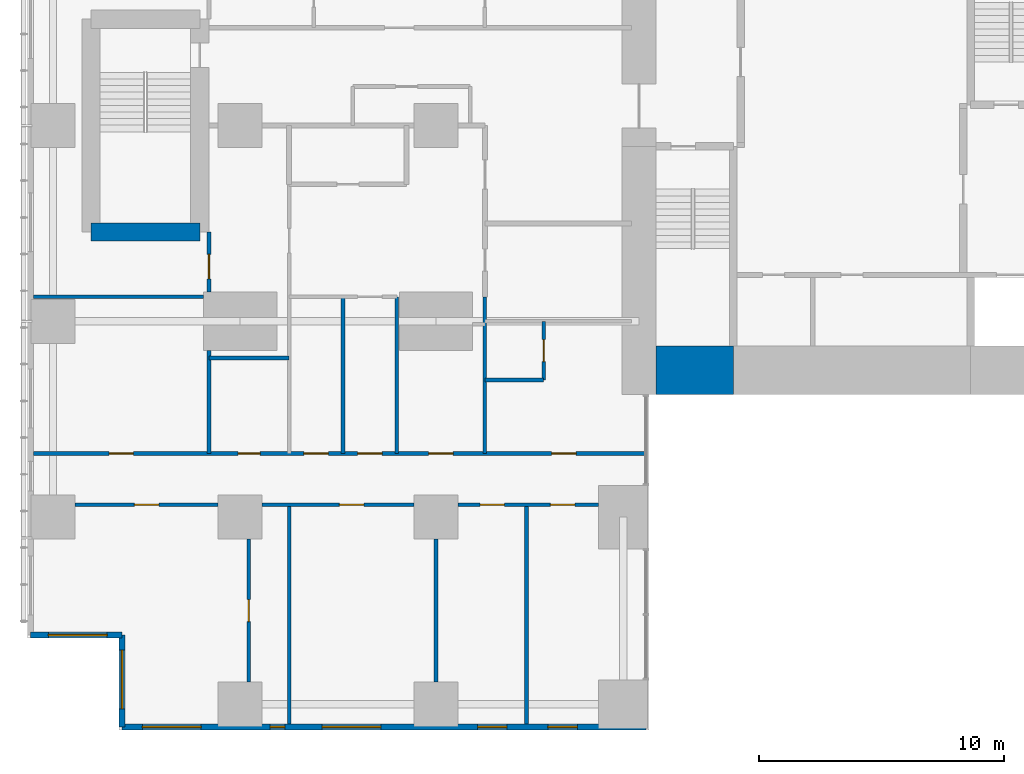
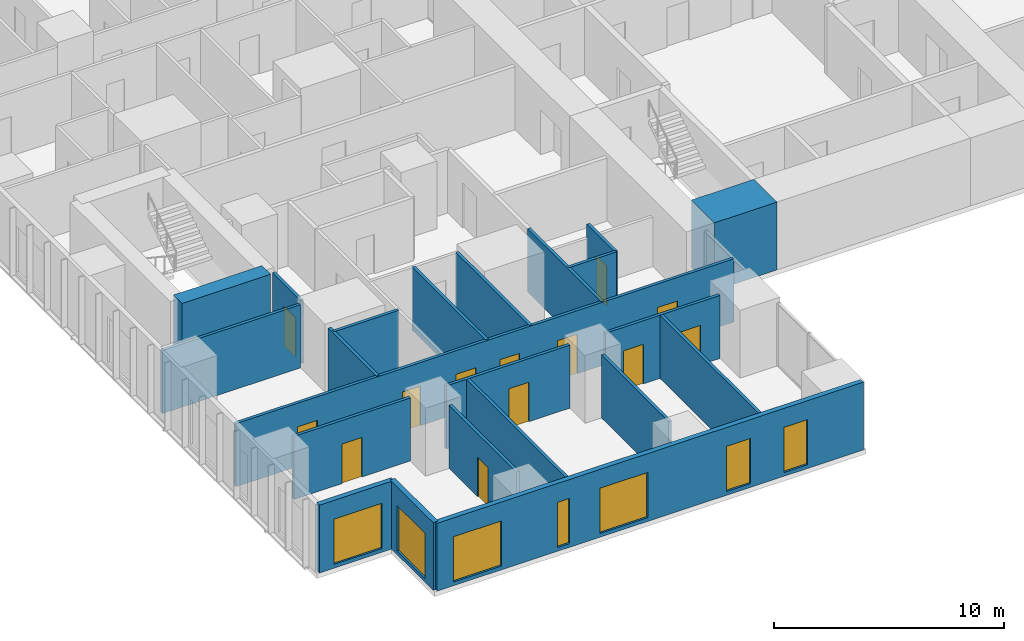
# One storey, part 12 of 20: 22 walls, 13 doors, 7 windows, 20 openings.
"""IFC4 building model written with IfcOpenShell, lengths in metres."""

from ifc_helpers import new_model, si_unit, direction, frame, frame_2d, origin, place, context, subcontext, project, spatial, rectangle, extrude, material, layer, layer_set, type_object, element, fill, save


model = new_model("IFC4")

# Units and contexts
model_context = context("Model", 3, precision=1e-05, world=origin(), true_north=direction((0.0, 1.0)))
body_context = subcontext(model_context, "Body", "Model", "MODEL_VIEW")
ifc_project = project(units=[si_unit("LENGTHUNIT", "METRE"), si_unit("AREAUNIT", "SQUARE_METRE"), si_unit("VOLUMEUNIT", "CUBIC_METRE"), si_unit("PLANEANGLEUNIT", "RADIAN"), si_unit("MASSUNIT", "GRAM", prefix="KILO")], contexts=[model_context])

# Site, building, storey
site_placement = place(None, origin())
site = spatial("IfcSite", under=ifc_project, at=site_placement, CompositionType="ELEMENT")
building_placement = place(site_placement, origin())
building = spatial("IfcBuilding", under=site, at=building_placement, Name="Cleftline Residences", CompositionType="ELEMENT")
storey_placement = place(building_placement, frame((0.0, 0.0, 207.39990234375)))
storey = spatial("IfcBuildingStorey", under=building, at=storey_placement, Name="L54", CompositionType="ELEMENT", Elevation=207.39990234375)

# Wall
ifc_material_1 = material(Name="Concrete B70", Category="concrete")
ifc_layer_1 = layer(ifc_material_1, 2.0)
ifc_layer_set_1 = layer_set([ifc_layer_1], Name="CORE WALL 2000")
wall_type_1 = type_object("IfcWallType", Name="CORE WALL 2000", PredefinedType="SHEAR", material=ifc_layer_set_1)
wall_1_placement = place(storey_placement, frame((25.0, 14.0, 0.0), z_axis=(0.0, 0.0, 1.0), x_axis=(1.0, 0.0, 0.0)))
element("IfcWall", 1, at=wall_1_placement, inside=storey, type_object=wall_type_1, Name="Core wall S1", PredefinedType="SHEAR", context=body_context, shape_type="SweptSolid", body=[
    extrude(rectangle(XDim=3.14990234375, YDim=2.0, at=frame_2d((1.574951171875, 0.0))), origin(), (0.0, 0.0, 1.0), 3.60009765625),
])

# Wall, opening, window
ifc_material_2 = material(Name="Rendered reinforced concrete blockwork", Category="masonry")
ifc_layer_2 = layer(ifc_material_2, 0.25)
ifc_layer_set_2 = layer_set([ifc_layer_2], Name="EXTERNAL WALL 250")
wall_type_2 = type_object("IfcWallType", Name="EXTERNAL WALL 250", PredefinedType="SOLIDWALL", material=ifc_layer_set_2)
wall_2_placement = place(storey_placement, frame((-0.574951171875, 3.175048828125, 0.0), z_axis=(0.0, 0.0, 1.0), x_axis=(1.0, 0.0, 0.0)))
wall_2 = element("IfcWall", 2, at=wall_2_placement, inside=storey, type_object=wall_type_2, Name="External wall", PredefinedType="SOLIDWALL", context=body_context, shape_type="SweptSolid", body=[
    extrude(rectangle(XDim=3.75, YDim=0.25, at=frame_2d((1.875, 0.0))), origin(), (0.0, 0.0, 1.0), 3.60009765625),
])
opening_1_placement = place(wall_2_placement, frame((0.737548828125, 0.0, 0.199951171875)))
opening_1 = element("IfcOpeningElement", 3, at=opening_1_placement, cuts=wall_2, Name="Opening W9", PredefinedType="OPENING", context=body_context, shape_type="SweptSolid", body=[
    extrude(rectangle(XDim=2.39990234375, YDim=2.39990234375, at=frame_2d((1.199951171875, 1.199951171875))), frame((0.0, 0.135009765625, 0.0), z_axis=(0.0, -1.0, 0.0), x_axis=(1.0, 0.0, 0.0)), (0.0, 0.0, 1.0), 0.27001953125),
])
ifc_material_3 = material(Name="Aluminium frame, clear double glazing", Category="aluminium")
window_type_1 = type_object("IfcWindowType", Name="WINDOW 2400X2400", PartitioningType="DOUBLE_PANEL_VERTICAL", PredefinedType="WINDOW", material=ifc_material_3)
window_1_placement = place(opening_1_placement, origin())
window_1 = element("IfcWindow", 4, at=window_1_placement, inside=storey, type_object=window_type_1, Name="Window", OverallHeight=2.39990234375, OverallWidth=2.39990234375, PartitioningType="SINGLE_PANEL", PredefinedType="WINDOW", context=body_context, shape_type="SweptSolid", body=[
    extrude(rectangle(XDim=2.39990234375, YDim=2.39990234375, at=frame_2d((1.199951171875, 1.199951171875))), frame((0.0, 0.030029296875, 0.0), z_axis=(0.0, -1.0, 0.0), x_axis=(1.0, 0.0, 0.0)), (0.0, 0.0, 1.0), 0.06005859375),
])
fill(opening_1, window_1)

wall_3_placement = place(storey_placement, frame((3.175048828125, 3.175048828125, 0.0), z_axis=(0.0, 0.0, 1.0), x_axis=(0.0, -1.0, 0.0)))
wall_3 = element("IfcWall", 5, at=wall_3_placement, inside=storey, type_object=wall_type_2, Name="External wall", PredefinedType="SOLIDWALL", context=body_context, shape_type="SweptSolid", body=[
    extrude(rectangle(XDim=3.75, YDim=0.25, at=frame_2d((1.875, 0.0))), origin(), (0.0, 0.0, 1.0), 3.60009765625),
])
opening_2_placement = place(wall_3_placement, frame((0.612548828125, 0.0, 0.199951171875)))
opening_2 = element("IfcOpeningElement", 6, at=opening_2_placement, cuts=wall_3, Name="Opening W9", PredefinedType="OPENING", context=body_context, shape_type="SweptSolid", body=[
    extrude(rectangle(XDim=2.39990234375, YDim=2.39990234375, at=frame_2d((1.199951171875, 1.199951171875))), frame((0.0, 0.135009765625, 0.0), z_axis=(0.0, -1.0, 0.0), x_axis=(1.0, 0.0, 0.0)), (0.0, 0.0, 1.0), 0.27001953125),
])
window_2_placement = place(opening_2_placement, origin())
window_2 = element("IfcWindow", 7, at=window_2_placement, inside=storey, type_object=window_type_1, Name="Window", OverallHeight=2.39990234375, OverallWidth=2.39990234375, PartitioningType="SINGLE_PANEL", PredefinedType="WINDOW", context=body_context, shape_type="SweptSolid", body=[
    extrude(rectangle(XDim=2.39990234375, YDim=2.39990234375, at=frame_2d((1.199951171875, 1.199951171875))), frame((0.0, 0.030029296875, 0.0), z_axis=(0.0, -1.0, 0.0), x_axis=(1.0, 0.0, 0.0)), (0.0, 0.0, 1.0), 0.06005859375),
])
fill(opening_2, window_2)

# Wall, openings, windows
wall_4_placement = place(storey_placement, frame((3.175048828125, -0.574951171875, 0.0), z_axis=(0.0, 0.0, 1.0), x_axis=(1.0, 0.0, 0.0)))
wall_4 = element("IfcWall", 8, at=wall_4_placement, inside=storey, type_object=wall_type_2, Name="External wall", PredefinedType="SOLIDWALL", context=body_context, shape_type="SweptSolid", body=[
    extrude(rectangle(XDim=21.39990234375, YDim=0.25, at=frame_2d((10.699951171875, 0.0))), origin(), (0.0, 0.0, 1.0), 3.60009765625),
])
opening_3_placement = place(wall_4_placement, frame((0.824951171875, 0.0, 0.199951171875)))
opening_3 = element("IfcOpeningElement", 9, at=opening_3_placement, cuts=wall_4, Name="Opening W9", PredefinedType="OPENING", context=body_context, shape_type="SweptSolid", body=[
    extrude(rectangle(XDim=2.39990234375, YDim=2.39990234375, at=frame_2d((1.199951171875, 1.199951171875))), frame((0.0, 0.135009765625, 0.0), z_axis=(0.0, -1.0, 0.0), x_axis=(1.0, 0.0, 0.0)), (0.0, 0.0, 1.0), 0.27001953125),
])
opening_4_placement = place(wall_4_placement, frame((6.050048828125, 0.0, 0.199951171875)))
opening_4 = element("IfcOpeningElement", 10, at=opening_4_placement, cuts=wall_4, Name="Opening W14", PredefinedType="OPENING", context=body_context, shape_type="SweptSolid", body=[
    extrude(rectangle(XDim=0.60009765625, YDim=2.39990234375, at=frame_2d((0.300048828125, 1.199951171875))), frame((0.0, 0.135009765625, 0.0), z_axis=(0.0, -1.0, 0.0), x_axis=(1.0, 0.0, 0.0)), (0.0, 0.0, 1.0), 0.27001953125),
])
opening_5_placement = place(wall_4_placement, frame((8.175048828125, 0.0, 0.199951171875)))
opening_5 = element("IfcOpeningElement", 11, at=opening_5_placement, cuts=wall_4, Name="Opening W9", PredefinedType="OPENING", context=body_context, shape_type="SweptSolid", body=[
    extrude(rectangle(XDim=2.39990234375, YDim=2.39990234375, at=frame_2d((1.199951171875, 1.199951171875))), frame((0.0, 0.135009765625, 0.0), z_axis=(0.0, -1.0, 0.0), x_axis=(1.0, 0.0, 0.0)), (0.0, 0.0, 1.0), 0.27001953125),
])
opening_6_placement = place(wall_4_placement, frame((14.52490234375, 0.0, 0.199951171875)))
opening_6 = element("IfcOpeningElement", 12, at=opening_6_placement, cuts=wall_4, Name="Opening W13", PredefinedType="OPENING", context=body_context, shape_type="SweptSolid", body=[
    extrude(rectangle(XDim=1.199951171875, YDim=2.39990234375, at=frame_2d((0.60009765625, 1.199951171875))), frame((0.0, 0.135009765625, 0.0), z_axis=(0.0, -1.0, 0.0), x_axis=(1.0, 0.0, 0.0)), (0.0, 0.0, 1.0), 0.27001953125),
])
opening_7_placement = place(wall_4_placement, frame((17.39990234375, 0.0, 0.199951171875)))
opening_7 = element("IfcOpeningElement", 13, at=opening_7_placement, cuts=wall_4, Name="Opening W13", PredefinedType="OPENING", context=body_context, shape_type="SweptSolid", body=[
    extrude(rectangle(XDim=1.199951171875, YDim=2.39990234375, at=frame_2d((0.60009765625, 1.199951171875))), frame((0.0, 0.135009765625, 0.0), z_axis=(0.0, -1.0, 0.0), x_axis=(1.0, 0.0, 0.0)), (0.0, 0.0, 1.0), 0.27001953125),
])
ifc_material_4 = material(Name="Aluminium frame, clear double glazing", Category="aluminium")
window_type_2 = type_object("IfcWindowType", Name="WINDOW 1200X2400", PartitioningType="DOUBLE_PANEL_VERTICAL", PredefinedType="WINDOW", material=ifc_material_4)
window_3_placement = place(opening_6_placement, origin())
window_3 = element("IfcWindow", 14, at=window_3_placement, inside=storey, type_object=window_type_2, Name="Window", OverallHeight=2.39990234375, OverallWidth=1.199951171875, PartitioningType="SINGLE_PANEL", PredefinedType="WINDOW", context=body_context, shape_type="SweptSolid", body=[
    extrude(rectangle(XDim=1.199951171875, YDim=2.39990234375, at=frame_2d((0.60009765625, 1.199951171875))), frame((0.0, 0.030029296875, 0.0), z_axis=(0.0, -1.0, 0.0), x_axis=(1.0, 0.0, 0.0)), (0.0, 0.0, 1.0), 0.06005859375),
])
fill(opening_6, window_3)
window_4_placement = place(opening_7_placement, origin())
window_4 = element("IfcWindow", 15, at=window_4_placement, inside=storey, type_object=window_type_2, Name="Window", OverallHeight=2.39990234375, OverallWidth=1.199951171875, PartitioningType="SINGLE_PANEL", PredefinedType="WINDOW", context=body_context, shape_type="SweptSolid", body=[
    extrude(rectangle(XDim=1.199951171875, YDim=2.39990234375, at=frame_2d((0.60009765625, 1.199951171875))), frame((0.0, 0.030029296875, 0.0), z_axis=(0.0, -1.0, 0.0), x_axis=(1.0, 0.0, 0.0)), (0.0, 0.0, 1.0), 0.06005859375),
])
fill(opening_7, window_4)
window_5_placement = place(opening_3_placement, origin())
window_5 = element("IfcWindow", 16, at=window_5_placement, inside=storey, type_object=window_type_1, Name="Window", OverallHeight=2.39990234375, OverallWidth=2.39990234375, PartitioningType="SINGLE_PANEL", PredefinedType="WINDOW", context=body_context, shape_type="SweptSolid", body=[
    extrude(rectangle(XDim=2.39990234375, YDim=2.39990234375, at=frame_2d((1.199951171875, 1.199951171875))), frame((0.0, 0.030029296875, 0.0), z_axis=(0.0, -1.0, 0.0), x_axis=(1.0, 0.0, 0.0)), (0.0, 0.0, 1.0), 0.06005859375),
])
fill(opening_3, window_5)
window_6_placement = place(opening_5_placement, origin())
window_6 = element("IfcWindow", 17, at=window_6_placement, inside=storey, type_object=window_type_1, Name="Window", OverallHeight=2.39990234375, OverallWidth=2.39990234375, PartitioningType="SINGLE_PANEL", PredefinedType="WINDOW", context=body_context, shape_type="SweptSolid", body=[
    extrude(rectangle(XDim=2.39990234375, YDim=2.39990234375, at=frame_2d((1.199951171875, 1.199951171875))), frame((0.0, 0.030029296875, 0.0), z_axis=(0.0, -1.0, 0.0), x_axis=(1.0, 0.0, 0.0)), (0.0, 0.0, 1.0), 0.06005859375),
])
fill(opening_5, window_6)
ifc_material_5 = material(Name="Aluminium frame, clear double glazing", Category="aluminium")
window_type_3 = type_object("IfcWindowType", Name="WINDOW 600X2400", PartitioningType="DOUBLE_PANEL_VERTICAL", PredefinedType="WINDOW", material=ifc_material_5)
window_7_placement = place(opening_4_placement, origin())
window_7 = element("IfcWindow", 18, at=window_7_placement, inside=storey, type_object=window_type_3, Name="Window", OverallHeight=2.39990234375, OverallWidth=0.60009765625, PartitioningType="SINGLE_PANEL", PredefinedType="WINDOW", context=body_context, shape_type="SweptSolid", body=[
    extrude(rectangle(XDim=0.60009765625, YDim=2.39990234375, at=frame_2d((0.300048828125, 1.199951171875))), frame((0.0, 0.030029296875, 0.0), z_axis=(0.0, -1.0, 0.0), x_axis=(1.0, 0.0, 0.0)), (0.0, 0.0, 1.0), 0.06005859375),
])
fill(opening_4, window_7)

# Wall, opening, door
ifc_material_6 = material(Name="Gypsum board on steel studs", Category="steel")
ifc_layer_3 = layer(ifc_material_6, 0.14990234375)
ifc_layer_set_3 = layer_set([ifc_layer_3], Name="PARTITION 150")
wall_type_3 = type_object("IfcWallType", Name="PARTITION 150", PredefinedType="PARTITIONING", material=ifc_layer_set_3)
wall_5_placement = place(storey_placement, frame((1.25, 8.5, 0.0), z_axis=(0.0, 0.0, 1.0), x_axis=(1.0, 0.0, 0.0)))
wall_5 = element("IfcWall", 19, at=wall_5_placement, inside=storey, type_object=wall_type_3, Name="Partition", PredefinedType="PARTITIONING", context=body_context, shape_type="SweptSolid", body=[
    extrude(rectangle(XDim=5.85009765625, YDim=0.14990234375, at=frame_2d((2.925048828125, 0.0))), origin(), (0.0, 0.0, 1.0), 3.35009765625),
])
opening_8_placement = place(wall_5_placement, frame((2.425048828125, 0.0, 0.0)))
opening_8 = element("IfcOpeningElement", 20, at=opening_8_placement, cuts=wall_5, Name="Opening D2", PredefinedType="OPENING", context=body_context, shape_type="SweptSolid", body=[
    extrude(rectangle(XDim=1.0, YDim=2.10009765625, at=frame_2d((0.5, 1.050048828125))), frame((0.0, 0.0849609375, 0.0), z_axis=(0.0, -1.0, 0.0), x_axis=(1.0, 0.0, 0.0)), (0.0, 0.0, 1.0), 0.169921875),
])
ifc_material_7 = material(Name="Timber veneer on solid core", Category="wood")
door_type_1 = type_object("IfcDoorType", Name="DOOR 1000X2100", OperationType="SINGLE_SWING_LEFT", PredefinedType="DOOR", material=ifc_material_7)
door_1_placement = place(opening_8_placement, origin())
door_1 = element("IfcDoor", 21, at=door_1_placement, inside=storey, type_object=door_type_1, Name="Door to formal living room", OperationType="SINGLE_SWING_LEFT", OverallHeight=2.10009765625, OverallWidth=1.0, PredefinedType="DOOR", context=body_context, shape_type="SweptSolid", body=[
    extrude(rectangle(XDim=1.0, YDim=2.10009765625, at=frame_2d((0.5, 1.050048828125))), frame((0.0, 0.02490234375, 0.0), z_axis=(0.0, -1.0, 0.0), x_axis=(1.0, 0.0, 0.0)), (0.0, 0.0, 1.0), 0.050048828125),
])
fill(opening_8, door_1)

wall_6_placement = place(storey_placement, frame((8.89990234375, 8.5, 0.0), z_axis=(0.0, 0.0, 1.0), x_axis=(1.0, 0.0, 0.0)))
wall_6 = element("IfcWall", 22, at=wall_6_placement, inside=storey, type_object=wall_type_3, Name="Partition", PredefinedType="PARTITIONING", context=body_context, shape_type="SweptSolid", body=[
    extrude(rectangle(XDim=6.2001953125, YDim=0.14990234375, at=frame_2d((3.10009765625, 0.0))), origin(), (0.0, 0.0, 1.0), 3.35009765625),
])
opening_9_placement = place(wall_6_placement, frame((3.14990234375, 0.0, 0.0)))
opening_9 = element("IfcOpeningElement", 23, at=opening_9_placement, cuts=wall_6, Name="Opening D2", PredefinedType="OPENING", context=body_context, shape_type="SweptSolid", body=[
    extrude(rectangle(XDim=1.0, YDim=2.10009765625, at=frame_2d((0.5, 1.050048828125))), frame((0.0, 0.0849609375, 0.0), z_axis=(0.0, -1.0, 0.0), x_axis=(1.0, 0.0, 0.0)), (0.0, 0.0, 1.0), 0.169921875),
])
door_2_placement = place(opening_9_placement, origin())
door_2 = element("IfcDoor", 24, at=door_2_placement, inside=storey, type_object=door_type_1, Name="Door to formal dining room", OperationType="SINGLE_SWING_LEFT", OverallHeight=2.10009765625, OverallWidth=1.0, PredefinedType="DOOR", context=body_context, shape_type="SweptSolid", body=[
    extrude(rectangle(XDim=1.0, YDim=2.10009765625, at=frame_2d((0.5, 1.050048828125))), frame((0.0, 0.02490234375, 0.0), z_axis=(0.0, -1.0, 0.0), x_axis=(1.0, 0.0, 0.0)), (0.0, 0.0, 1.0), 0.050048828125),
])
fill(opening_9, door_2)

# Wall, openings, doors
wall_7_placement = place(storey_placement, frame((16.89990234375, 8.5, 0.0), z_axis=(0.0, 0.0, 1.0), x_axis=(1.0, 0.0, 0.0)))
wall_7 = element("IfcWall", 25, at=wall_7_placement, inside=storey, type_object=wall_type_3, Name="Partition", PredefinedType="PARTITIONING", context=body_context, shape_type="SweptSolid", body=[
    extrude(rectangle(XDim=5.75, YDim=0.14990234375, at=frame_2d((2.875, 0.0))), origin(), (0.0, 0.0, 1.0), 3.35009765625),
])
opening_10_placement = place(wall_7_placement, frame((0.89990234375, 0.0, 0.0)))
opening_10 = element("IfcOpeningElement", 26, at=opening_10_placement, cuts=wall_7, Name="Opening D2", PredefinedType="OPENING", context=body_context, shape_type="SweptSolid", body=[
    extrude(rectangle(XDim=1.0, YDim=2.10009765625, at=frame_2d((0.5, 1.050048828125))), frame((0.0, 0.0849609375, 0.0), z_axis=(0.0, -1.0, 0.0), x_axis=(1.0, 0.0, 0.0)), (0.0, 0.0, 1.0), 0.169921875),
])
opening_11_placement = place(wall_7_placement, frame((3.77490234375, 0.0, 0.0)))
opening_11 = element("IfcOpeningElement", 27, at=opening_11_placement, cuts=wall_7, Name="Opening D2", PredefinedType="OPENING", context=body_context, shape_type="SweptSolid", body=[
    extrude(rectangle(XDim=1.0, YDim=2.10009765625, at=frame_2d((0.5, 1.050048828125))), frame((0.0, 0.0849609375, 0.0), z_axis=(0.0, -1.0, 0.0), x_axis=(1.0, 0.0, 0.0)), (0.0, 0.0, 1.0), 0.169921875),
])
door_3_placement = place(opening_10_placement, origin())
door_3 = element("IfcDoor", 28, at=door_3_placement, inside=storey, type_object=door_type_1, Name="Door to breakfast room", OperationType="SINGLE_SWING_RIGHT", OverallHeight=2.10009765625, OverallWidth=1.0, PredefinedType="DOOR", context=body_context, shape_type="SweptSolid", body=[
    extrude(rectangle(XDim=1.0, YDim=2.10009765625, at=frame_2d((0.5, 1.050048828125))), frame((0.0, 0.02490234375, 0.0), z_axis=(0.0, -1.0, 0.0), x_axis=(1.0, 0.0, 0.0)), (0.0, 0.0, 1.0), 0.050048828125),
])
fill(opening_10, door_3)
door_4_placement = place(opening_11_placement, origin())
door_4 = element("IfcDoor", 29, at=door_4_placement, inside=storey, type_object=door_type_1, Name="Door to show kitchen", OperationType="SINGLE_SWING_LEFT", OverallHeight=2.10009765625, OverallWidth=1.0, PredefinedType="DOOR", context=body_context, shape_type="SweptSolid", body=[
    extrude(rectangle(XDim=1.0, YDim=2.10009765625, at=frame_2d((0.5, 1.050048828125))), frame((0.0, 0.02490234375, 0.0), z_axis=(0.0, -1.0, 0.0), x_axis=(1.0, 0.0, 0.0)), (0.0, 0.0, 1.0), 0.050048828125),
])
fill(opening_11, door_4)

wall_8_placement = place(storey_placement, frame((-0.449951171875, 10.60009765625, 0.0), z_axis=(0.0, 0.0, 1.0), x_axis=(1.0, 0.0, 0.0)))
wall_8 = element("IfcWall", 30, at=wall_8_placement, inside=storey, type_object=wall_type_3, Name="Partition", PredefinedType="PARTITIONING", context=body_context, shape_type="SweptSolid", body=[
    extrude(rectangle(XDim=25.010986328125, YDim=0.14990234375, at=frame_2d((12.50537109375, 0.0))), origin(), (0.0, 0.0, 1.0), 3.35009765625),
])
opening_12_placement = place(wall_8_placement, frame((13.25, 0.0, 0.0)))
opening_12 = element("IfcOpeningElement", 31, at=opening_12_placement, cuts=wall_8, Name="Opening D2F30", PredefinedType="OPENING", context=body_context, shape_type="SweptSolid", body=[
    extrude(rectangle(XDim=1.0, YDim=2.10009765625, at=frame_2d((0.5, 1.050048828125))), frame((0.0, 0.0849609375, 0.0), z_axis=(0.0, -1.0, 0.0), x_axis=(1.0, 0.0, 0.0)), (0.0, 0.0, 1.0), 0.169921875),
])
opening_13_placement = place(wall_8_placement, frame((3.08740234375, 0.0, 0.0)))
opening_13 = element("IfcOpeningElement", 32, at=opening_13_placement, cuts=wall_8, Name="Opening D2F30", PredefinedType="OPENING", context=body_context, shape_type="SweptSolid", body=[
    extrude(rectangle(XDim=1.0, YDim=2.10009765625, at=frame_2d((0.5, 1.050048828125))), frame((0.0, 0.0849609375, 0.0), z_axis=(0.0, -1.0, 0.0), x_axis=(1.0, 0.0, 0.0)), (0.0, 0.0, 1.0), 0.169921875),
])
opening_14_placement = place(wall_8_placement, frame((8.362548828125, 0.0, 0.0)))
opening_14 = element("IfcOpeningElement", 33, at=opening_14_placement, cuts=wall_8, Name="Opening D1F30", PredefinedType="OPENING", context=body_context, shape_type="SweptSolid", body=[
    extrude(rectangle(XDim=0.89990234375, YDim=2.10009765625, at=frame_2d((0.449951171875, 1.050048828125))), frame((0.0, 0.0849609375, 0.0), z_axis=(0.0, -1.0, 0.0), x_axis=(1.0, 0.0, 0.0)), (0.0, 0.0, 1.0), 0.169921875),
])
opening_15_placement = place(wall_8_placement, frame((11.050048828125, 0.0, 0.0)))
opening_15 = element("IfcOpeningElement", 34, at=opening_15_placement, cuts=wall_8, Name="Opening D2F30", PredefinedType="OPENING", context=body_context, shape_type="SweptSolid", body=[
    extrude(rectangle(XDim=1.0, YDim=2.10009765625, at=frame_2d((0.5, 1.050048828125))), frame((0.0, 0.0849609375, 0.0), z_axis=(0.0, -1.0, 0.0), x_axis=(1.0, 0.0, 0.0)), (0.0, 0.0, 1.0), 0.169921875),
])
opening_16_placement = place(wall_8_placement, frame((16.14990234375, 0.0, 0.0)))
opening_16 = element("IfcOpeningElement", 35, at=opening_16_placement, cuts=wall_8, Name="Opening D2F30", PredefinedType="OPENING", context=body_context, shape_type="SweptSolid", body=[
    extrude(rectangle(XDim=1.0, YDim=2.10009765625, at=frame_2d((0.5, 1.050048828125))), frame((0.0, 0.0849609375, 0.0), z_axis=(0.0, -1.0, 0.0), x_axis=(1.0, 0.0, 0.0)), (0.0, 0.0, 1.0), 0.169921875),
])
opening_17_placement = place(wall_8_placement, frame((21.175048828125, 0.0, 0.0)))
opening_17 = element("IfcOpeningElement", 36, at=opening_17_placement, cuts=wall_8, Name="Opening D2F30", PredefinedType="OPENING", context=body_context, shape_type="SweptSolid", body=[
    extrude(rectangle(XDim=1.0, YDim=2.10009765625, at=frame_2d((0.5, 1.050048828125))), frame((0.0, 0.0849609375, 0.0), z_axis=(0.0, -1.0, 0.0), x_axis=(1.0, 0.0, 0.0)), (0.0, 0.0, 1.0), 0.169921875),
])
ifc_material_8 = material(Name="Timber veneer on solid core", Category="wood")
door_type_2 = type_object("IfcDoorType", Name="DOOR 1000X2100 EI 30", OperationType="SINGLE_SWING_LEFT", PredefinedType="DOOR", material=ifc_material_8)
door_5_placement = place(opening_12_placement, origin())
door_5 = element("IfcDoor", 37, at=door_5_placement, inside=storey, type_object=door_type_2, Name="Door to residence hall (gallery)", OperationType="SINGLE_SWING_LEFT", OverallHeight=2.10009765625, OverallWidth=1.0, PredefinedType="DOOR", context=body_context, shape_type="SweptSolid", body=[
    extrude(rectangle(XDim=1.0, YDim=2.10009765625, at=frame_2d((0.5, 1.050048828125))), frame((0.0, 0.02490234375, 0.0), z_axis=(0.0, -1.0, 0.0), x_axis=(1.0, 0.0, 0.0)), (0.0, 0.0, 1.0), 0.050048828125),
])
fill(opening_12, door_5)
door_6_placement = place(opening_13_placement, origin())
door_6 = element("IfcDoor", 38, at=door_6_placement, inside=storey, type_object=door_type_2, Name="Door to winter garden", OperationType="SINGLE_SWING_RIGHT", OverallHeight=2.10009765625, OverallWidth=1.0, PredefinedType="DOOR", context=body_context, shape_type="SweptSolid", body=[
    extrude(rectangle(XDim=1.0, YDim=2.10009765625, at=frame_2d((0.5, 1.050048828125))), frame((0.0, 0.02490234375, 0.0), z_axis=(0.0, -1.0, 0.0), x_axis=(1.0, 0.0, 0.0)), (0.0, 0.0, 1.0), 0.050048828125),
])
fill(opening_13, door_6)
door_7_placement = place(opening_15_placement, origin())
door_7 = element("IfcDoor", 39, at=door_7_placement, inside=storey, type_object=door_type_2, Name="Door to family room", OperationType="SINGLE_SWING_RIGHT", OverallHeight=2.10009765625, OverallWidth=1.0, PredefinedType="DOOR", context=body_context, shape_type="SweptSolid", body=[
    extrude(rectangle(XDim=1.0, YDim=2.10009765625, at=frame_2d((0.5, 1.050048828125))), frame((0.0, 0.02490234375, 0.0), z_axis=(0.0, -1.0, 0.0), x_axis=(1.0, 0.0, 0.0)), (0.0, 0.0, 1.0), 0.050048828125),
])
fill(opening_15, door_7)
door_8_placement = place(opening_16_placement, origin())
door_8 = element("IfcDoor", 40, at=door_8_placement, inside=storey, type_object=door_type_2, Name="Door to wet kitchen", OperationType="SINGLE_SWING_LEFT", OverallHeight=2.10009765625, OverallWidth=1.0, PredefinedType="DOOR", context=body_context, shape_type="SweptSolid", body=[
    extrude(rectangle(XDim=1.0, YDim=2.10009765625, at=frame_2d((0.5, 1.050048828125))), frame((0.0, 0.02490234375, 0.0), z_axis=(0.0, -1.0, 0.0), x_axis=(1.0, 0.0, 0.0)), (0.0, 0.0, 1.0), 0.050048828125),
])
fill(opening_16, door_8)
door_9_placement = place(opening_17_placement, origin())
door_9 = element("IfcDoor", 41, at=door_9_placement, inside=storey, type_object=door_type_2, Name="Door to staff bedroom", OperationType="SINGLE_SWING_LEFT", OverallHeight=2.10009765625, OverallWidth=1.0, PredefinedType="DOOR", context=body_context, shape_type="SweptSolid", body=[
    extrude(rectangle(XDim=1.0, YDim=2.10009765625, at=frame_2d((0.5, 1.050048828125))), frame((0.0, 0.02490234375, 0.0), z_axis=(0.0, -1.0, 0.0), x_axis=(1.0, 0.0, 0.0)), (0.0, 0.0, 1.0), 0.050048828125),
])
fill(opening_17, door_9)
ifc_material_9 = material(Name="Timber veneer on solid core", Category="wood")
door_type_3 = type_object("IfcDoorType", Name="DOOR 900X2100 EI 30", OperationType="SINGLE_SWING_LEFT", PredefinedType="DOOR", material=ifc_material_9)
door_10_placement = place(opening_14_placement, origin())
door_10 = element("IfcDoor", 42, at=door_10_placement, inside=storey, type_object=door_type_3, Name="Door to store room", OperationType="SINGLE_SWING_RIGHT", OverallHeight=2.10009765625, OverallWidth=0.89990234375, PredefinedType="DOOR", context=body_context, shape_type="SweptSolid", body=[
    extrude(rectangle(XDim=0.89990234375, YDim=2.10009765625, at=frame_2d((0.449951171875, 1.050048828125))), frame((0.0, 0.02490234375, 0.0), z_axis=(0.0, -1.0, 0.0), x_axis=(1.0, 0.0, 0.0)), (0.0, 0.0, 1.0), 0.050048828125),
])
fill(opening_14, door_10)

# Walls
wall_9_placement = place(storey_placement, frame((18.0, 13.60009765625, 0.0), z_axis=(0.0, 0.0, 1.0), x_axis=(1.0, 0.0, 0.0)))
element("IfcWall", 43, at=wall_9_placement, inside=storey, type_object=wall_type_3, Name="Partition", PredefinedType="PARTITIONING", context=body_context, shape_type="SweptSolid", body=[
    extrude(rectangle(XDim=2.39990234375, YDim=0.14990234375, at=frame_2d((1.199951171875, 0.0))), origin(), (0.0, 0.0, 1.0), 3.35009765625),
])
wall_10_placement = place(storey_placement, frame((6.72509765625, 14.5, 0.0), z_axis=(0.0, 0.0, 1.0), x_axis=(1.0, 0.0, 0.0)))
element("IfcWall", 44, at=wall_10_placement, inside=storey, type_object=wall_type_3, Name="Partition", PredefinedType="PARTITIONING", context=body_context, shape_type="SweptSolid", body=[
    extrude(rectangle(XDim=3.27490234375, YDim=0.14990234375, at=frame_2d((1.637451171875, 0.0))), origin(), (0.0, 0.0, 1.0), 3.35009765625),
])
wall_11_placement = place(storey_placement, frame((-0.449951171875, 17.0, 0.0), z_axis=(0.0, 0.0, 1.0), x_axis=(1.0, 0.0, 0.0)))
element("IfcWall", 45, at=wall_11_placement, inside=storey, type_object=wall_type_3, Name="Partition", PredefinedType="PARTITIONING", context=body_context, shape_type="SweptSolid", body=[
    extrude(rectangle(XDim=6.949951171875, YDim=0.14990234375, at=frame_2d((3.47509765625, 0.0))), origin(), (0.0, 0.0, 1.0), 3.35009765625),
])
wall_12_placement = place(storey_placement, frame((6.72509765625, 10.60009765625, 0.0), z_axis=(0.0, 0.0, 1.0), x_axis=(0.0, 1.0, 0.0)))
element("IfcWall", 46, at=wall_12_placement, inside=storey, type_object=wall_type_3, Name="Partition", PredefinedType="PARTITIONING", context=body_context, shape_type="SweptSolid", body=[
    extrude(rectangle(XDim=4.199951171875, YDim=0.14990234375, at=frame_2d((2.10009765625, 0.0))), origin(), (0.0, 0.0, 1.0), 3.35009765625),
])

# Wall, opening, door
wall_13_placement = place(storey_placement, frame((6.72509765625, 17.199951171875, 0.0), z_axis=(0.0, 0.0, 1.0), x_axis=(0.0, 1.0, 0.0)))
wall_13 = element("IfcWall", 47, at=wall_13_placement, inside=storey, type_object=wall_type_3, Name="Partition", PredefinedType="PARTITIONING", context=body_context, shape_type="SweptSolid", body=[
    extrude(rectangle(XDim=2.449951171875, YDim=0.14990234375, at=frame_2d((1.22509765625, 0.0))), origin(), (0.0, 0.0, 1.0), 3.35009765625),
])
opening_18_placement = place(wall_13_placement, frame((0.53759765625, 0.0, 0.0)))
opening_18 = element("IfcOpeningElement", 48, at=opening_18_placement, cuts=wall_13, Name="Opening D2", PredefinedType="OPENING", context=body_context, shape_type="SweptSolid", body=[
    extrude(rectangle(XDim=1.0, YDim=2.10009765625, at=frame_2d((0.5, 1.050048828125))), frame((0.0, 0.0849609375, 0.0), z_axis=(0.0, -1.0, 0.0), x_axis=(1.0, 0.0, 0.0)), (0.0, 0.0, 1.0), 0.169921875),
])
door_11_placement = place(opening_18_placement, origin())
door_11 = element("IfcDoor", 49, at=door_11_placement, inside=storey, type_object=door_type_1, Name="Door to altar room", OperationType="SINGLE_SWING_RIGHT", OverallHeight=2.10009765625, OverallWidth=1.0, PredefinedType="DOOR", context=body_context, shape_type="SweptSolid", body=[
    extrude(rectangle(XDim=1.0, YDim=2.10009765625, at=frame_2d((0.5, 1.050048828125))), frame((0.0, 0.02490234375, 0.0), z_axis=(0.0, -1.0, 0.0), x_axis=(1.0, 0.0, 0.0)), (0.0, 0.0, 1.0), 0.050048828125),
])
fill(opening_18, door_11)

wall_14_placement = place(storey_placement, frame((8.35009765625, 1.25, 0.0), z_axis=(0.0, 0.0, 1.0), x_axis=(0.0, 1.0, 0.0)))
wall_14 = element("IfcWall", 50, at=wall_14_placement, inside=storey, type_object=wall_type_3, Name="Partition", PredefinedType="PARTITIONING", context=body_context, shape_type="SweptSolid", body=[
    extrude(rectangle(XDim=5.85009765625, YDim=0.14990234375, at=frame_2d((2.925048828125, 0.0))), origin(), (0.0, 0.0, 1.0), 3.35009765625),
])
opening_19_placement = place(wall_14_placement, frame((2.47509765625, 0.0, 0.0)))
opening_19 = element("IfcOpeningElement", 51, at=opening_19_placement, cuts=wall_14, Name="Opening D1", PredefinedType="OPENING", context=body_context, shape_type="SweptSolid", body=[
    extrude(rectangle(XDim=0.89990234375, YDim=2.10009765625, at=frame_2d((0.449951171875, 1.050048828125))), frame((0.0, 0.0849609375, 0.0), z_axis=(0.0, -1.0, 0.0), x_axis=(1.0, 0.0, 0.0)), (0.0, 0.0, 1.0), 0.169921875),
])
ifc_material_10 = material(Name="Timber veneer on solid core", Category="wood")
door_type_4 = type_object("IfcDoorType", Name="DOOR 900X2100", OperationType="SINGLE_SWING_LEFT", PredefinedType="DOOR", material=ifc_material_10)
door_12_placement = place(opening_19_placement, origin())
door_12 = element("IfcDoor", 52, at=door_12_placement, inside=storey, type_object=door_type_4, Name="Door to store room", OperationType="SINGLE_SWING_LEFT", OverallHeight=2.10009765625, OverallWidth=0.89990234375, PredefinedType="DOOR", context=body_context, shape_type="SweptSolid", body=[
    extrude(rectangle(XDim=0.89990234375, YDim=2.10009765625, at=frame_2d((0.449951171875, 1.050048828125))), frame((0.0, 0.02490234375, 0.0), z_axis=(0.0, -1.0, 0.0), x_axis=(1.0, 0.0, 0.0)), (0.0, 0.0, 1.0), 0.050048828125),
])
fill(opening_19, door_12)

# Walls
wall_15_placement = place(storey_placement, frame((10.0, -0.449951171875, 0.0), z_axis=(0.0, 0.0, 1.0), x_axis=(0.0, 1.0, 0.0)))
element("IfcWall", 53, at=wall_15_placement, inside=storey, type_object=wall_type_3, Name="Partition", PredefinedType="PARTITIONING", context=body_context, shape_type="SweptSolid", body=[
    extrude(rectangle(XDim=8.949951171875, YDim=0.14990234375, at=frame_2d((4.47509765625, 0.0))), origin(), (0.0, 0.0, 1.0), 3.35009765625),
])
for number, where, z_axis, x_axis, name in (
    (54, (12.199951171875, 10.60009765625, 0.0), (0.0, 0.0, 1.0), (0.0, 1.0, 0.0), "Partition"),
    (55, (14.39990234375, 10.60009765625, 0.0), (0.0, 0.0, 1.0), (0.0, 1.0, 0.0), "Partition"),
):
    element("IfcWall", number, at=place(storey_placement, frame(where, z_axis=z_axis, x_axis=x_axis)), inside=storey, type_object=wall_type_3, Name=name, PredefinedType="PARTITIONING", context=body_context, shape_type="SweptSolid", body=[
        extrude(rectangle(XDim=6.39990234375, YDim=0.14990234375, at=frame_2d((3.199951171875, 0.0))), origin(), (0.0, 0.0, 1.0), 3.35009765625),
    ])
wall_16_placement = place(storey_placement, frame((16.0, 1.25, 0.0), z_axis=(0.0, 0.0, 1.0), x_axis=(0.0, 1.0, 0.0)))
element("IfcWall", 56, at=wall_16_placement, inside=storey, type_object=wall_type_3, Name="Partition", PredefinedType="PARTITIONING", context=body_context, shape_type="SweptSolid", body=[
    extrude(rectangle(XDim=5.85009765625, YDim=0.14990234375, at=frame_2d((2.925048828125, 0.0))), origin(), (0.0, 0.0, 1.0), 3.35009765625),
])
wall_17_placement = place(storey_placement, frame((18.0, 10.60009765625, 0.0), z_axis=(0.0, 0.0, 1.0), x_axis=(0.0, 1.0, 0.0)))
element("IfcWall", 57, at=wall_17_placement, inside=storey, type_object=wall_type_3, Name="Partition", PredefinedType="PARTITIONING", context=body_context, shape_type="SweptSolid", body=[
    extrude(rectangle(XDim=6.39990234375, YDim=0.14990234375, at=frame_2d((3.199951171875, 0.0))), origin(), (0.0, 0.0, 1.0), 3.35009765625),
])
wall_18_placement = place(storey_placement, frame((19.699951171875, -0.449951171875, 0.0), z_axis=(0.0, 0.0, 1.0), x_axis=(0.0, 1.0, 0.0)))
element("IfcWall", 58, at=wall_18_placement, inside=storey, type_object=wall_type_3, Name="Partition", PredefinedType="PARTITIONING", context=body_context, shape_type="SweptSolid", body=[
    extrude(rectangle(XDim=8.949951171875, YDim=0.14990234375, at=frame_2d((4.47509765625, 0.0))), origin(), (0.0, 0.0, 1.0), 3.35009765625),
])

# Wall, opening, door
wall_19_placement = place(storey_placement, frame((20.39990234375, 13.60009765625, 0.0), z_axis=(0.0, 0.0, 1.0), x_axis=(0.0, 1.0, 0.0)))
wall_19 = element("IfcWall", 59, at=wall_19_placement, inside=storey, type_object=wall_type_3, Name="Partition", PredefinedType="PARTITIONING", context=body_context, shape_type="SweptSolid", body=[
    extrude(rectangle(XDim=2.39990234375, YDim=0.14990234375, at=frame_2d((1.199951171875, 0.0))), origin(), (0.0, 0.0, 1.0), 3.35009765625),
])
opening_20_placement = place(wall_19_placement, frame((0.75, 0.0, 0.0)))
opening_20 = element("IfcOpeningElement", 60, at=opening_20_placement, cuts=wall_19, Name="Opening D1", PredefinedType="OPENING", context=body_context, shape_type="SweptSolid", body=[
    extrude(rectangle(XDim=0.89990234375, YDim=2.10009765625, at=frame_2d((0.449951171875, 1.050048828125))), frame((0.0, 0.0849609375, 0.0), z_axis=(0.0, -1.0, 0.0), x_axis=(1.0, 0.0, 0.0)), (0.0, 0.0, 1.0), 0.169921875),
])
door_13_placement = place(opening_20_placement, origin())
door_13 = element("IfcDoor", 61, at=door_13_placement, inside=storey, type_object=door_type_4, Name="Door to staff shower room", OperationType="SINGLE_SWING_LEFT", OverallHeight=2.10009765625, OverallWidth=0.89990234375, PredefinedType="DOOR", context=body_context, shape_type="SweptSolid", body=[
    extrude(rectangle(XDim=0.89990234375, YDim=2.10009765625, at=frame_2d((0.449951171875, 1.050048828125))), frame((0.0, 0.02490234375, 0.0), z_axis=(0.0, -1.0, 0.0), x_axis=(1.0, 0.0, 0.0)), (0.0, 0.0, 1.0), 0.050048828125),
])
fill(opening_20, door_13)

# Wall
ifc_material_11 = material(Name="Concrete B70", Category="concrete")
ifc_layer_4 = layer(ifc_material_11, 0.75)
ifc_layer_set_4 = layer_set([ifc_layer_4], Name="SHEAR WALL 750")
wall_type_4 = type_object("IfcWallType", Name="SHEAR WALL 750", PredefinedType="SHEAR", material=ifc_layer_set_4)
wall_20_placement = place(storey_placement, frame((1.89990234375, 19.64990234375, 0.0), z_axis=(0.0, 0.0, 1.0), x_axis=(1.0, 0.0, 0.0)))
element("IfcWall", 62, at=wall_20_placement, inside=storey, type_object=wall_type_4, Name="Wing shear wall", PredefinedType="SHEAR", context=body_context, shape_type="SweptSolid", body=[
    extrude(rectangle(XDim=4.4501953125, YDim=0.75, at=frame_2d((2.22509765625, 0.0))), origin(), (0.0, 0.0, 1.0), 3.60009765625),
])

save(model, "model.ifc")
